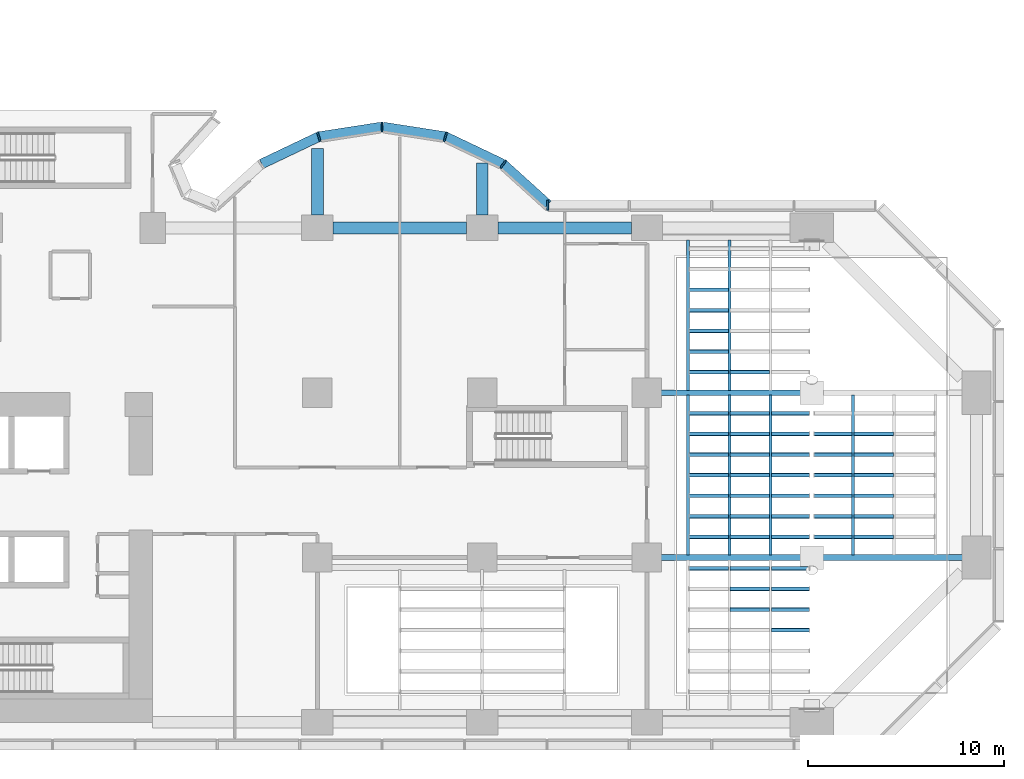
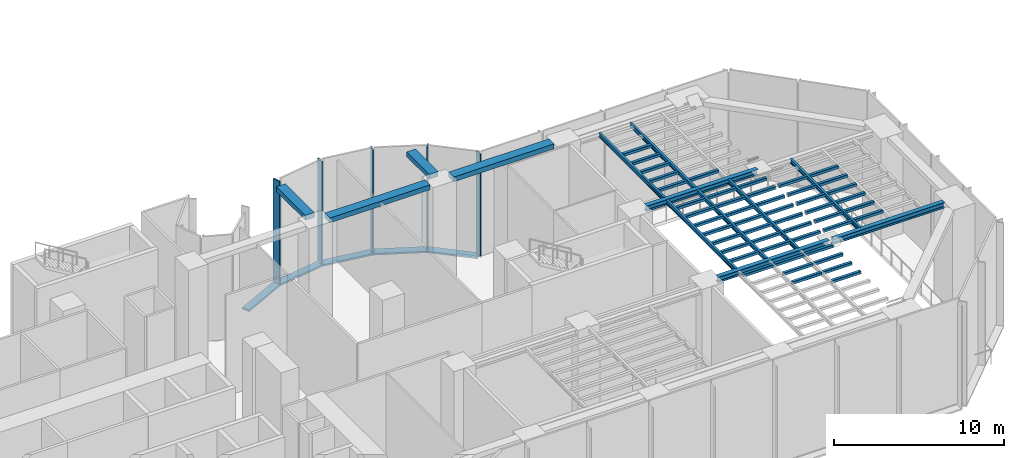
# One storey, part 3 of 22: 60 beams, 10 members, 2 elements without a shape of their own.
"""IFC4 building model written with IfcOpenShell, lengths in metres."""

from ifc_helpers import new_model, si_unit, direction, frame, origin, origin_2d, place, context, subcontext, project, spatial, rectangle, hollow_rectangle, i_section, extrude, material, material_profile, profile_set, type_object, element, aggregate, save


model = new_model("IFC4")

# Units and contexts
model_context = context("Model", 3, precision=1e-05, world=origin(), true_north=direction((0.0, 1.0)))
body_context = subcontext(model_context, "Body", "Model", "MODEL_VIEW")
ifc_project = project(units=[si_unit("LENGTHUNIT", "METRE"), si_unit("AREAUNIT", "SQUARE_METRE"), si_unit("VOLUMEUNIT", "CUBIC_METRE"), si_unit("PLANEANGLEUNIT", "RADIAN"), si_unit("MASSUNIT", "GRAM", prefix="KILO")], contexts=[model_context])

# Site, building, storey
site_placement = place(None, origin())
site = spatial("IfcSite", under=ifc_project, at=site_placement, CompositionType="ELEMENT")
building_placement = place(site_placement, origin())
building = spatial("IfcBuilding", under=site, at=building_placement, Name="Brevane Broadcast Tower", CompositionType="ELEMENT")
storey_placement = place(building_placement, frame((0.0, 0.0, 20.0)))
storey = spatial("IfcBuildingStorey", under=building, at=storey_placement, Name="L03", CompositionType="ELEMENT", Elevation=20.0)

# Curtain wall, member
ifc_material_1 = material(Name="Aluminium 6063-T6 bronze anodised", Category="aluminium")
curtain_wall_type = type_object("IfcCurtainWallType", Name="CW-2 curtain wall", PredefinedType="NOTDEFINED", material=ifc_material_1)
curtain_wall_1_placement = place(storey_placement, origin())
curtain_wall_1 = element("IfcCurtainWall", 1, at=curtain_wall_1_placement, inside=storey, type_object=curtain_wall_type, Name="CW-2 podium base unit L03 east arm north face", PredefinedType="NOTDEFINED")
ifc_material_profile_1 = material_profile(ifc_material_1, rectangle(XDim=0.5, YDim=0.090087890625, at=origin_2d()), Name="RECT 90x500")
ifc_profile_set_1 = profile_set([ifc_material_profile_1], Name="Aluminium 6063-T6 bronze anodised")
member_type_1 = type_object("IfcMemberType", Name="CW-2 mullion 90x500", PredefinedType="MULLION", material=ifc_profile_set_1)
member_1_placement = place(storey_placement, frame((45.344970703125, 26.35009765625, -0.1298828125), z_axis=(0.0, 0.0, 1.0), x_axis=(0.0, -1.0, 0.0)))
member_1 = element("IfcMember", 2, at=member_1_placement, type_object=member_type_1, Name="CW-2 mullion", PredefinedType="MULLION", context=body_context, shape_type="SweptSolid", body=[
    extrude(rectangle(XDim=0.5, YDim=0.090087890625, at=origin_2d()), origin(), (0.0, 0.0, 1.0), 7.3798828125),
])
aggregate(curtain_wall_1, [member_1])

# Curtain wall, members
curtain_wall_2_placement = place(storey_placement, origin())
curtain_wall_2 = element("IfcCurtainWall", 3, at=curtain_wall_2_placement, inside=storey, type_object=curtain_wall_type, Name="CW-2 podium base unit L03 east bow", PredefinedType="NOTDEFINED")
member_2_placement = place(storey_placement, frame((43.0712890625, 28.447021484375, -0.1298828125), z_axis=(0.0, 0.0, 1.0), x_axis=(-0.555997481379, -0.831183975243, 0.0)))
member_2 = element("IfcMember", 4, at=member_2_placement, type_object=member_type_1, Name="CW-2 mullion", PredefinedType="MULLION", context=body_context, shape_type="SweptSolid", body=[
    extrude(rectangle(XDim=0.5, YDim=0.090087890625, at=origin_2d()), origin(), (0.0, 0.0, 1.0), 7.3798828125),
])
member_3_placement = place(storey_placement, frame((40.126953125, 29.84912109375, -0.1298828125), z_axis=(0.0, 0.0, 1.0), x_axis=(-0.294828346832, -0.955550232015, 0.0)))
member_3 = element("IfcMember", 5, at=member_3_placement, type_object=member_type_1, Name="CW-2 mullion", PredefinedType="MULLION", context=body_context, shape_type="SweptSolid", body=[
    extrude(rectangle(XDim=0.5, YDim=0.090087890625, at=origin_2d()), origin(), (0.0, 0.0, 1.0), 7.3798828125),
])
member_4_placement = place(storey_placement, frame((36.89990234375, 30.35009765625, -0.1298828125), z_axis=(0.0, 0.0, 1.0), x_axis=(0.0, -1.0, 0.0)))
member_4 = element("IfcMember", 6, at=member_4_placement, type_object=member_type_1, Name="CW-2 mullion", PredefinedType="MULLION", context=body_context, shape_type="SweptSolid", body=[
    extrude(rectangle(XDim=0.5, YDim=0.090087890625, at=origin_2d()), origin(), (0.0, 0.0, 1.0), 7.3798828125),
])
member_5_placement = place(storey_placement, frame((33.673095703125, 29.84912109375, -0.1298828125), z_axis=(0.0, 0.0, 1.0), x_axis=(0.294828346832, -0.955550232015, 0.0)))
member_5 = element("IfcMember", 7, at=member_5_placement, type_object=member_type_1, Name="CW-2 mullion", PredefinedType="MULLION", context=body_context, shape_type="SweptSolid", body=[
    extrude(rectangle(XDim=0.5, YDim=0.090087890625, at=origin_2d()), origin(), (0.0, 0.0, 1.0), 7.3798828125),
])
ifc_material_profile_2 = material_profile(ifc_material_1, rectangle(XDim=0.5, YDim=0.1201171875, at=origin_2d()), Name="RECT 120x500")
ifc_profile_set_2 = profile_set([ifc_material_profile_2], Name="Aluminium 6063-T6 bronze anodised")
member_type_2 = type_object("IfcMemberType", Name="CW-2 transom 120x500", PredefinedType="USERDEFINED", material=ifc_profile_set_2)
member_6_placement = place(storey_placement, frame((45.349365234375, 26.39208984375, -0.18994140625), z_axis=(-0.742007303722, 0.670391796805, 0.0), x_axis=(-0.670391796805, -0.742007303722, 0.0)))
member_6 = element("IfcMember", 8, at=member_6_placement, type_object=member_type_2, Name="CW-2 transom", ObjectType="TRANSOM", PredefinedType="USERDEFINED", context=body_context, shape_type="SweptSolid", body=[
    extrude(rectangle(XDim=0.5, YDim=0.1201171875, at=origin_2d()), origin(), (0.0, 0.0, 1.0), 3.040771484375),
])
member_7_placement = place(storey_placement, frame((43.039794921875, 28.46484375, -0.18994140625), z_axis=(-0.902852027894, 0.429951410892, 0.0), x_axis=(-0.429951410892, -0.902852027894, 0.0)))
member_7 = element("IfcMember", 9, at=member_7_placement, type_object=member_type_2, Name="CW-2 transom", ObjectType="TRANSOM", PredefinedType="USERDEFINED", context=body_context, shape_type="SweptSolid", body=[
    extrude(rectangle(XDim=0.5, YDim=0.1201171875, at=origin_2d()), origin(), (0.0, 0.0, 1.0), 3.18896484375),
])
member_8_placement = place(storey_placement, frame((40.100341796875, 29.855712890625, -0.18994140625), z_axis=(-0.988151305523, 0.153482889576, 0.0), x_axis=(-0.153482889576, -0.988151305523, 0.0)))
member_8 = element("IfcMember", 10, at=member_8_placement, type_object=member_type_2, Name="CW-2 transom", ObjectType="TRANSOM", PredefinedType="USERDEFINED", context=body_context, shape_type="SweptSolid", body=[
    extrude(rectangle(XDim=0.5, YDim=0.1201171875, at=origin_2d()), origin(), (0.0, 0.0, 1.0), 3.19091796875),
])
member_9_placement = place(storey_placement, frame((36.852783203125, 30.345458984375, -0.18994140625), z_axis=(-0.98815310771, -0.153471286317, 0.0), x_axis=(0.153471286317, -0.98815310771, 0.0)))
member_9 = element("IfcMember", 11, at=member_9_placement, type_object=member_type_2, Name="CW-2 transom", ObjectType="TRANSOM", PredefinedType="USERDEFINED", context=body_context, shape_type="SweptSolid", body=[
    extrude(rectangle(XDim=0.5, YDim=0.1201171875, at=origin_2d()), origin(), (0.0, 0.0, 1.0), 3.191162109375),
])
member_10_placement = place(storey_placement, frame((33.639404296875, 29.8359375, -0.18994140625), z_axis=(-0.902852027894, -0.429951410892, 0.0), x_axis=(0.429951410892, -0.902852027894, 0.0)))
member_10 = element("IfcMember", 12, at=member_10_placement, type_object=member_type_2, Name="CW-2 transom", ObjectType="TRANSOM", PredefinedType="USERDEFINED", context=body_context, shape_type="SweptSolid", body=[
    extrude(rectangle(XDim=0.5, YDim=0.1201171875, at=origin_2d()), origin(), (0.0, 0.0, 1.0), 3.18896484375),
])
aggregate(curtain_wall_2, [member_2, member_3, member_4, member_5, member_6, member_7, member_8, member_9, member_10])

# Beams
ifc_material_2 = material(Name="Concrete C40/50", Category="concrete")
ifc_material_profile_3 = material_profile(ifc_material_2, rectangle(XDim=0.60009765625, YDim=0.35009765625, at=origin_2d()), Name="RC 600x350")
ifc_profile_set_3 = profile_set([ifc_material_profile_3], Name="Concrete C40/50")
beam_type_1 = type_object("IfcBeamType", Name="RC BRACKET BEAM 600x350 C40/50", PredefinedType="BEAM", material=ifc_profile_set_3)
beam_1_placement = place(storey_placement, frame((33.60009765625, 25.85009765625, 7.074951171875), z_axis=(0.0, 1.0, 0.0), x_axis=(-1.0, 0.0, 0.0)))
element("IfcBeam", 13, at=beam_1_placement, inside=storey, type_object=beam_type_1, Name="EB2 L03-1", PredefinedType="BEAM", context=body_context, shape_type="SweptSolid", body=[
    extrude(rectangle(XDim=0.60009765625, YDim=0.35009765625, at=origin_2d()), origin(), (0.0, 0.0, 1.0), 3.411865234375),
])
beam_2_placement = place(storey_placement, frame((42.0, 25.85009765625, 7.074951171875), z_axis=(0.0, 1.0, 0.0), x_axis=(-1.0, 0.0, 0.0)))
element("IfcBeam", 14, at=beam_2_placement, inside=storey, type_object=beam_type_1, Name="EB2 L03-2", PredefinedType="BEAM", context=body_context, shape_type="SweptSolid", body=[
    extrude(rectangle(XDim=0.60009765625, YDim=0.35009765625, at=origin_2d()), origin(), (0.0, 0.0, 1.0), 2.661376953125),
])
ifc_material_profile_4 = material_profile(ifc_material_2, rectangle(XDim=0.60009765625, YDim=0.35009765625, at=origin_2d()), Name="RC 600x350")
ifc_profile_set_4 = profile_set([ifc_material_profile_4], Name="Concrete C40/50")
beam_type_2 = type_object("IfcBeamType", Name="RC SPANDREL BEAM 600x350 C40/50", PredefinedType="SPANDREL", material=ifc_profile_set_4)
for number, where, z_axis, x_axis, name in (
    (15, (49.60009765625, 25.199951171875, 7.074951171875), (-1.0, 0.0, 0.0), (0.0, -1.0, 0.0), "EB1 L03-9"),
    (16, (41.199951171875, 25.199951171875, 7.074951171875), (-1.0, 0.0, 0.0), (0.0, -1.0, 0.0), "EB1 L03-10"),
):
    element("IfcBeam", number, at=place(storey_placement, frame(where, z_axis=z_axis, x_axis=x_axis)), inside=storey, type_object=beam_type_2, Name=name, PredefinedType="SPANDREL", context=body_context, shape_type="SweptSolid", body=[
        extrude(rectangle(XDim=0.60009765625, YDim=0.35009765625, at=origin_2d()), origin(), (0.0, 0.0, 1.0), 6.800048828125),
    ])
ifc_material_3 = material(Name="Steel S355", Category="steel")
ifc_material_profile_5 = material_profile(ifc_material_3, hollow_rectangle(XDim=0.199951171875, YDim=0.199951171875, WallThickness=0.010009765625, InnerFilletRadius=0.010009765625, OuterFilletRadius=0.02001953125, at=origin_2d()), Name="RHS 200x200x10")
ifc_profile_set_5 = profile_set([ifc_material_profile_5], Name="Steel S355")
beam_type_3 = type_object("IfcBeamType", Name="STEEL RIGGING BATTEN RHS 200x200x10 S355", PredefinedType="BEAM", material=ifc_profile_set_5)
for number, where, z_axis, x_axis, name in (
    (17, (52.544921875, 9.449951171875, 7.14990234375), (1.0, 0.0, 0.0), (0.0, 1.0, 0.0), "RG3 W1"),
    (18, (54.64501953125, 9.449951171875, 7.14990234375), (1.0, 0.0, 0.0), (0.0, 1.0, 0.0), "RG3 W2"),
):
    element("IfcBeam", number, at=place(storey_placement, frame(where, z_axis=z_axis, x_axis=x_axis)), inside=storey, type_object=beam_type_3, Name=name, PredefinedType="BEAM", context=body_context, shape_type="SweptSolid", body=[
        extrude(hollow_rectangle(XDim=0.199951171875, YDim=0.199951171875, WallThickness=0.010009765625, InnerFilletRadius=0.010009765625, OuterFilletRadius=0.02001953125, at=origin_2d()), origin(), (0.0, 0.0, 1.0), 2.010009765625),
    ])
beam_3_placement = place(storey_placement, frame((56.7451171875, 9.449951171875, 7.14990234375), z_axis=(1.0, 0.0, 0.0), x_axis=(0.0, 1.0, 0.0)))
element("IfcBeam", 19, at=beam_3_placement, inside=storey, type_object=beam_type_3, Name="RG3 W3", PredefinedType="BEAM", context=body_context, shape_type="SweptSolid", body=[
    extrude(hollow_rectangle(XDim=0.199951171875, YDim=0.199951171875, WallThickness=0.010009765625, InnerFilletRadius=0.010009765625, OuterFilletRadius=0.02001953125, at=origin_2d()), origin(), (0.0, 0.0, 1.0), 1.933837890625),
])
for number, where, z_axis, x_axis, name in (
    (20, (52.544921875, 10.5, 7.14990234375), (1.0, 0.0, 0.0), (0.0, 1.0, 0.0), "RG3 W4"),
    (21, (54.64501953125, 10.5, 7.14990234375), (1.0, 0.0, 0.0), (0.0, 1.0, 0.0), "RG3 W5"),
):
    element("IfcBeam", number, at=place(storey_placement, frame(where, z_axis=z_axis, x_axis=x_axis)), inside=storey, type_object=beam_type_3, Name=name, PredefinedType="BEAM", context=body_context, shape_type="SweptSolid", body=[
        extrude(hollow_rectangle(XDim=0.199951171875, YDim=0.199951171875, WallThickness=0.010009765625, InnerFilletRadius=0.010009765625, OuterFilletRadius=0.02001953125, at=origin_2d()), origin(), (0.0, 0.0, 1.0), 2.010009765625),
    ])
beam_4_placement = place(storey_placement, frame((56.7451171875, 10.5, 7.14990234375), z_axis=(1.0, 0.0, 0.0), x_axis=(0.0, 1.0, 0.0)))
element("IfcBeam", 22, at=beam_4_placement, inside=storey, type_object=beam_type_3, Name="RG3 W6", PredefinedType="BEAM", context=body_context, shape_type="SweptSolid", body=[
    extrude(hollow_rectangle(XDim=0.199951171875, YDim=0.199951171875, WallThickness=0.010009765625, InnerFilletRadius=0.010009765625, OuterFilletRadius=0.02001953125, at=origin_2d()), origin(), (0.0, 0.0, 1.0), 1.933837890625),
])
for number, where, z_axis, x_axis, name in (
    (23, (52.544921875, 11.550048828125, 7.14990234375), (1.0, 0.0, 0.0), (0.0, 1.0, 0.0), "RG3 W7"),
    (24, (54.64501953125, 11.550048828125, 7.14990234375), (1.0, 0.0, 0.0), (0.0, 1.0, 0.0), "RG3 W8"),
):
    element("IfcBeam", number, at=place(storey_placement, frame(where, z_axis=z_axis, x_axis=x_axis)), inside=storey, type_object=beam_type_3, Name=name, PredefinedType="BEAM", context=body_context, shape_type="SweptSolid", body=[
        extrude(hollow_rectangle(XDim=0.199951171875, YDim=0.199951171875, WallThickness=0.010009765625, InnerFilletRadius=0.010009765625, OuterFilletRadius=0.02001953125, at=origin_2d()), origin(), (0.0, 0.0, 1.0), 2.010009765625),
    ])
beam_5_placement = place(storey_placement, frame((56.7451171875, 11.550048828125, 7.14990234375), z_axis=(1.0, 0.0, 0.0), x_axis=(0.0, 1.0, 0.0)))
element("IfcBeam", 25, at=beam_5_placement, inside=storey, type_object=beam_type_3, Name="RG3 W9", PredefinedType="BEAM", context=body_context, shape_type="SweptSolid", body=[
    extrude(hollow_rectangle(XDim=0.199951171875, YDim=0.199951171875, WallThickness=0.010009765625, InnerFilletRadius=0.010009765625, OuterFilletRadius=0.02001953125, at=origin_2d()), origin(), (0.0, 0.0, 1.0), 1.933837890625),
])
for number, where, z_axis, x_axis, name in (
    (26, (52.544921875, 12.60009765625, 7.14990234375), (1.0, 0.0, 0.0), (0.0, 1.0, 0.0), "RG3 W10"),
    (27, (54.64501953125, 12.60009765625, 7.14990234375), (1.0, 0.0, 0.0), (0.0, 1.0, 0.0), "RG3 W11"),
):
    element("IfcBeam", number, at=place(storey_placement, frame(where, z_axis=z_axis, x_axis=x_axis)), inside=storey, type_object=beam_type_3, Name=name, PredefinedType="BEAM", context=body_context, shape_type="SweptSolid", body=[
        extrude(hollow_rectangle(XDim=0.199951171875, YDim=0.199951171875, WallThickness=0.010009765625, InnerFilletRadius=0.010009765625, OuterFilletRadius=0.02001953125, at=origin_2d()), origin(), (0.0, 0.0, 1.0), 2.010009765625),
    ])
beam_6_placement = place(storey_placement, frame((56.7451171875, 12.60009765625, 7.14990234375), z_axis=(1.0, 0.0, 0.0), x_axis=(0.0, 1.0, 0.0)))
element("IfcBeam", 28, at=beam_6_placement, inside=storey, type_object=beam_type_3, Name="RG3 W12", PredefinedType="BEAM", context=body_context, shape_type="SweptSolid", body=[
    extrude(hollow_rectangle(XDim=0.199951171875, YDim=0.199951171875, WallThickness=0.010009765625, InnerFilletRadius=0.010009765625, OuterFilletRadius=0.02001953125, at=origin_2d()), origin(), (0.0, 0.0, 1.0), 1.933837890625),
])
for number, where, z_axis, x_axis, name in (
    (29, (52.544921875, 13.64990234375, 7.14990234375), (1.0, 0.0, 0.0), (0.0, 1.0, 0.0), "RG3 W13"),
    (30, (54.64501953125, 13.64990234375, 7.14990234375), (1.0, 0.0, 0.0), (0.0, 1.0, 0.0), "RG3 W14"),
):
    element("IfcBeam", number, at=place(storey_placement, frame(where, z_axis=z_axis, x_axis=x_axis)), inside=storey, type_object=beam_type_3, Name=name, PredefinedType="BEAM", context=body_context, shape_type="SweptSolid", body=[
        extrude(hollow_rectangle(XDim=0.199951171875, YDim=0.199951171875, WallThickness=0.010009765625, InnerFilletRadius=0.010009765625, OuterFilletRadius=0.02001953125, at=origin_2d()), origin(), (0.0, 0.0, 1.0), 2.010009765625),
    ])
beam_7_placement = place(storey_placement, frame((56.7451171875, 13.64990234375, 7.14990234375), z_axis=(1.0, 0.0, 0.0), x_axis=(0.0, 1.0, 0.0)))
element("IfcBeam", 31, at=beam_7_placement, inside=storey, type_object=beam_type_3, Name="RG3 W15", PredefinedType="BEAM", context=body_context, shape_type="SweptSolid", body=[
    extrude(hollow_rectangle(XDim=0.199951171875, YDim=0.199951171875, WallThickness=0.010009765625, InnerFilletRadius=0.010009765625, OuterFilletRadius=0.02001953125, at=origin_2d()), origin(), (0.0, 0.0, 1.0), 1.933837890625),
])
for number, where, z_axis, x_axis, name in (
    (32, (52.544921875, 14.699951171875, 7.14990234375), (1.0, 0.0, 0.0), (0.0, 1.0, 0.0), "RG3 W16"),
    (33, (54.64501953125, 14.699951171875, 7.14990234375), (1.0, 0.0, 0.0), (0.0, 1.0, 0.0), "RG3 W17"),
):
    element("IfcBeam", number, at=place(storey_placement, frame(where, z_axis=z_axis, x_axis=x_axis)), inside=storey, type_object=beam_type_3, Name=name, PredefinedType="BEAM", context=body_context, shape_type="SweptSolid", body=[
        extrude(hollow_rectangle(XDim=0.199951171875, YDim=0.199951171875, WallThickness=0.010009765625, InnerFilletRadius=0.010009765625, OuterFilletRadius=0.02001953125, at=origin_2d()), origin(), (0.0, 0.0, 1.0), 2.010009765625),
    ])
beam_8_placement = place(storey_placement, frame((56.7451171875, 14.699951171875, 7.14990234375), z_axis=(1.0, 0.0, 0.0), x_axis=(0.0, 1.0, 0.0)))
element("IfcBeam", 34, at=beam_8_placement, inside=storey, type_object=beam_type_3, Name="RG3 W18", PredefinedType="BEAM", context=body_context, shape_type="SweptSolid", body=[
    extrude(hollow_rectangle(XDim=0.199951171875, YDim=0.199951171875, WallThickness=0.010009765625, InnerFilletRadius=0.010009765625, OuterFilletRadius=0.02001953125, at=origin_2d()), origin(), (0.0, 0.0, 1.0), 1.933837890625),
])
for number, where, z_axis, x_axis, name in (
    (35, (52.544921875, 15.75, 7.14990234375), (1.0, 0.0, 0.0), (0.0, 1.0, 0.0), "RG3 W19"),
    (36, (54.64501953125, 15.75, 7.14990234375), (1.0, 0.0, 0.0), (0.0, 1.0, 0.0), "RG3 W20"),
):
    element("IfcBeam", number, at=place(storey_placement, frame(where, z_axis=z_axis, x_axis=x_axis)), inside=storey, type_object=beam_type_3, Name=name, PredefinedType="BEAM", context=body_context, shape_type="SweptSolid", body=[
        extrude(hollow_rectangle(XDim=0.199951171875, YDim=0.199951171875, WallThickness=0.010009765625, InnerFilletRadius=0.010009765625, OuterFilletRadius=0.02001953125, at=origin_2d()), origin(), (0.0, 0.0, 1.0), 2.010009765625),
    ])
beam_9_placement = place(storey_placement, frame((56.7451171875, 15.75, 7.14990234375), z_axis=(1.0, 0.0, 0.0), x_axis=(0.0, 1.0, 0.0)))
element("IfcBeam", 37, at=beam_9_placement, inside=storey, type_object=beam_type_3, Name="RG3 W21", PredefinedType="BEAM", context=body_context, shape_type="SweptSolid", body=[
    extrude(hollow_rectangle(XDim=0.199951171875, YDim=0.199951171875, WallThickness=0.010009765625, InnerFilletRadius=0.010009765625, OuterFilletRadius=0.02001953125, at=origin_2d()), origin(), (0.0, 0.0, 1.0), 1.933837890625),
])
beam_10_placement = place(storey_placement, frame((62.955078125, 9.449951171875, 7.14990234375), z_axis=(-1.0, 0.0, 0.0), x_axis=(0.0, -1.0, 0.0)))
element("IfcBeam", 38, at=beam_10_placement, inside=storey, type_object=beam_type_3, Name="RG3 E23", PredefinedType="BEAM", context=body_context, shape_type="SweptSolid", body=[
    extrude(hollow_rectangle(XDim=0.199951171875, YDim=0.199951171875, WallThickness=0.010009765625, InnerFilletRadius=0.010009765625, OuterFilletRadius=0.02001953125, at=origin_2d()), origin(), (0.0, 0.0, 1.0), 2.010009765625),
])
beam_11_placement = place(storey_placement, frame((60.85498046875, 9.449951171875, 7.14990234375), z_axis=(-1.0, 0.0, 0.0), x_axis=(0.0, -1.0, 0.0)))
element("IfcBeam", 39, at=beam_11_placement, inside=storey, type_object=beam_type_3, Name="RG3 E24", PredefinedType="BEAM", context=body_context, shape_type="SweptSolid", body=[
    extrude(hollow_rectangle(XDim=0.199951171875, YDim=0.199951171875, WallThickness=0.010009765625, InnerFilletRadius=0.010009765625, OuterFilletRadius=0.02001953125, at=origin_2d()), origin(), (0.0, 0.0, 1.0), 1.93408203125),
])
beam_12_placement = place(storey_placement, frame((62.955078125, 10.5, 7.14990234375), z_axis=(-1.0, 0.0, 0.0), x_axis=(0.0, -1.0, 0.0)))
element("IfcBeam", 40, at=beam_12_placement, inside=storey, type_object=beam_type_3, Name="RG3 E26", PredefinedType="BEAM", context=body_context, shape_type="SweptSolid", body=[
    extrude(hollow_rectangle(XDim=0.199951171875, YDim=0.199951171875, WallThickness=0.010009765625, InnerFilletRadius=0.010009765625, OuterFilletRadius=0.02001953125, at=origin_2d()), origin(), (0.0, 0.0, 1.0), 2.010009765625),
])
beam_13_placement = place(storey_placement, frame((60.85498046875, 10.5, 7.14990234375), z_axis=(-1.0, 0.0, 0.0), x_axis=(0.0, -1.0, 0.0)))
element("IfcBeam", 41, at=beam_13_placement, inside=storey, type_object=beam_type_3, Name="RG3 E27", PredefinedType="BEAM", context=body_context, shape_type="SweptSolid", body=[
    extrude(hollow_rectangle(XDim=0.199951171875, YDim=0.199951171875, WallThickness=0.010009765625, InnerFilletRadius=0.010009765625, OuterFilletRadius=0.02001953125, at=origin_2d()), origin(), (0.0, 0.0, 1.0), 1.93408203125),
])
beam_14_placement = place(storey_placement, frame((62.955078125, 11.550048828125, 7.14990234375), z_axis=(-1.0, 0.0, 0.0), x_axis=(0.0, -1.0, 0.0)))
element("IfcBeam", 42, at=beam_14_placement, inside=storey, type_object=beam_type_3, Name="RG3 E29", PredefinedType="BEAM", context=body_context, shape_type="SweptSolid", body=[
    extrude(hollow_rectangle(XDim=0.199951171875, YDim=0.199951171875, WallThickness=0.010009765625, InnerFilletRadius=0.010009765625, OuterFilletRadius=0.02001953125, at=origin_2d()), origin(), (0.0, 0.0, 1.0), 2.010009765625),
])
beam_15_placement = place(storey_placement, frame((60.85498046875, 11.550048828125, 7.14990234375), z_axis=(-1.0, 0.0, 0.0), x_axis=(0.0, -1.0, 0.0)))
element("IfcBeam", 43, at=beam_15_placement, inside=storey, type_object=beam_type_3, Name="RG3 E30", PredefinedType="BEAM", context=body_context, shape_type="SweptSolid", body=[
    extrude(hollow_rectangle(XDim=0.199951171875, YDim=0.199951171875, WallThickness=0.010009765625, InnerFilletRadius=0.010009765625, OuterFilletRadius=0.02001953125, at=origin_2d()), origin(), (0.0, 0.0, 1.0), 1.93408203125),
])
beam_16_placement = place(storey_placement, frame((62.955078125, 12.60009765625, 7.14990234375), z_axis=(-1.0, 0.0, 0.0), x_axis=(0.0, -1.0, 0.0)))
element("IfcBeam", 44, at=beam_16_placement, inside=storey, type_object=beam_type_3, Name="RG3 E32", PredefinedType="BEAM", context=body_context, shape_type="SweptSolid", body=[
    extrude(hollow_rectangle(XDim=0.199951171875, YDim=0.199951171875, WallThickness=0.010009765625, InnerFilletRadius=0.010009765625, OuterFilletRadius=0.02001953125, at=origin_2d()), origin(), (0.0, 0.0, 1.0), 2.010009765625),
])
beam_17_placement = place(storey_placement, frame((60.85498046875, 12.60009765625, 7.14990234375), z_axis=(-1.0, 0.0, 0.0), x_axis=(0.0, -1.0, 0.0)))
element("IfcBeam", 45, at=beam_17_placement, inside=storey, type_object=beam_type_3, Name="RG3 E33", PredefinedType="BEAM", context=body_context, shape_type="SweptSolid", body=[
    extrude(hollow_rectangle(XDim=0.199951171875, YDim=0.199951171875, WallThickness=0.010009765625, InnerFilletRadius=0.010009765625, OuterFilletRadius=0.02001953125, at=origin_2d()), origin(), (0.0, 0.0, 1.0), 1.93408203125),
])
beam_18_placement = place(storey_placement, frame((62.955078125, 13.64990234375, 7.14990234375), z_axis=(-1.0, 0.0, 0.0), x_axis=(0.0, -1.0, 0.0)))
element("IfcBeam", 46, at=beam_18_placement, inside=storey, type_object=beam_type_3, Name="RG3 E35", PredefinedType="BEAM", context=body_context, shape_type="SweptSolid", body=[
    extrude(hollow_rectangle(XDim=0.199951171875, YDim=0.199951171875, WallThickness=0.010009765625, InnerFilletRadius=0.010009765625, OuterFilletRadius=0.02001953125, at=origin_2d()), origin(), (0.0, 0.0, 1.0), 2.010009765625),
])
beam_19_placement = place(storey_placement, frame((60.85498046875, 13.64990234375, 7.14990234375), z_axis=(-1.0, 0.0, 0.0), x_axis=(0.0, -1.0, 0.0)))
element("IfcBeam", 47, at=beam_19_placement, inside=storey, type_object=beam_type_3, Name="RG3 E36", PredefinedType="BEAM", context=body_context, shape_type="SweptSolid", body=[
    extrude(hollow_rectangle(XDim=0.199951171875, YDim=0.199951171875, WallThickness=0.010009765625, InnerFilletRadius=0.010009765625, OuterFilletRadius=0.02001953125, at=origin_2d()), origin(), (0.0, 0.0, 1.0), 1.93408203125),
])
beam_20_placement = place(storey_placement, frame((62.955078125, 14.699951171875, 7.14990234375), z_axis=(-1.0, 0.0, 0.0), x_axis=(0.0, -1.0, 0.0)))
element("IfcBeam", 48, at=beam_20_placement, inside=storey, type_object=beam_type_3, Name="RG3 E38", PredefinedType="BEAM", context=body_context, shape_type="SweptSolid", body=[
    extrude(hollow_rectangle(XDim=0.199951171875, YDim=0.199951171875, WallThickness=0.010009765625, InnerFilletRadius=0.010009765625, OuterFilletRadius=0.02001953125, at=origin_2d()), origin(), (0.0, 0.0, 1.0), 2.010009765625),
])
beam_21_placement = place(storey_placement, frame((60.85498046875, 14.699951171875, 7.14990234375), z_axis=(-1.0, 0.0, 0.0), x_axis=(0.0, -1.0, 0.0)))
element("IfcBeam", 49, at=beam_21_placement, inside=storey, type_object=beam_type_3, Name="RG3 E39", PredefinedType="BEAM", context=body_context, shape_type="SweptSolid", body=[
    extrude(hollow_rectangle(XDim=0.199951171875, YDim=0.199951171875, WallThickness=0.010009765625, InnerFilletRadius=0.010009765625, OuterFilletRadius=0.02001953125, at=origin_2d()), origin(), (0.0, 0.0, 1.0), 1.93408203125),
])
beam_22_placement = place(storey_placement, frame((56.7451171875, 4.699951171875, 7.14990234375), z_axis=(1.0, 0.0, 0.0), x_axis=(0.0, 1.0, 0.0)))
element("IfcBeam", 50, at=beam_22_placement, inside=storey, type_object=beam_type_3, Name="RG3 W54", PredefinedType="BEAM", context=body_context, shape_type="SweptSolid", body=[
    extrude(hollow_rectangle(XDim=0.199951171875, YDim=0.199951171875, WallThickness=0.010009765625, InnerFilletRadius=0.010009765625, OuterFilletRadius=0.02001953125, at=origin_2d()), origin(), (0.0, 0.0, 1.0), 1.933837890625),
])
beam_23_placement = place(storey_placement, frame((54.64501953125, 5.75, 7.14990234375), z_axis=(1.0, 0.0, 0.0), x_axis=(0.0, 1.0, 0.0)))
element("IfcBeam", 51, at=beam_23_placement, inside=storey, type_object=beam_type_3, Name="RG3 W56", PredefinedType="BEAM", context=body_context, shape_type="SweptSolid", body=[
    extrude(hollow_rectangle(XDim=0.199951171875, YDim=0.199951171875, WallThickness=0.010009765625, InnerFilletRadius=0.010009765625, OuterFilletRadius=0.02001953125, at=origin_2d()), origin(), (0.0, 0.0, 1.0), 2.010009765625),
])
beam_24_placement = place(storey_placement, frame((56.7451171875, 5.75, 7.14990234375), z_axis=(1.0, 0.0, 0.0), x_axis=(0.0, 1.0, 0.0)))
element("IfcBeam", 52, at=beam_24_placement, inside=storey, type_object=beam_type_3, Name="RG3 W57", PredefinedType="BEAM", context=body_context, shape_type="SweptSolid", body=[
    extrude(hollow_rectangle(XDim=0.199951171875, YDim=0.199951171875, WallThickness=0.010009765625, InnerFilletRadius=0.010009765625, OuterFilletRadius=0.02001953125, at=origin_2d()), origin(), (0.0, 0.0, 1.0), 1.933837890625),
])
beam_25_placement = place(storey_placement, frame((54.64501953125, 6.800048828125, 7.14990234375), z_axis=(1.0, 0.0, 0.0), x_axis=(0.0, 1.0, 0.0)))
element("IfcBeam", 53, at=beam_25_placement, inside=storey, type_object=beam_type_3, Name="RG3 W59", PredefinedType="BEAM", context=body_context, shape_type="SweptSolid", body=[
    extrude(hollow_rectangle(XDim=0.199951171875, YDim=0.199951171875, WallThickness=0.010009765625, InnerFilletRadius=0.010009765625, OuterFilletRadius=0.02001953125, at=origin_2d()), origin(), (0.0, 0.0, 1.0), 2.010009765625),
])
beam_26_placement = place(storey_placement, frame((56.7451171875, 6.800048828125, 7.14990234375), z_axis=(1.0, 0.0, 0.0), x_axis=(0.0, 1.0, 0.0)))
element("IfcBeam", 54, at=beam_26_placement, inside=storey, type_object=beam_type_3, Name="RG3 W60", PredefinedType="BEAM", context=body_context, shape_type="SweptSolid", body=[
    extrude(hollow_rectangle(XDim=0.199951171875, YDim=0.199951171875, WallThickness=0.010009765625, InnerFilletRadius=0.010009765625, OuterFilletRadius=0.02001953125, at=origin_2d()), origin(), (0.0, 0.0, 1.0), 1.933837890625),
])
for number, where, z_axis, x_axis, name in (
    (55, (52.544921875, 7.85009765625, 7.14990234375), (1.0, 0.0, 0.0), (0.0, 1.0, 0.0), "RG3 W61"),
    (56, (54.64501953125, 7.85009765625, 7.14990234375), (1.0, 0.0, 0.0), (0.0, 1.0, 0.0), "RG3 W62"),
):
    element("IfcBeam", number, at=place(storey_placement, frame(where, z_axis=z_axis, x_axis=x_axis)), inside=storey, type_object=beam_type_3, Name=name, PredefinedType="BEAM", context=body_context, shape_type="SweptSolid", body=[
        extrude(hollow_rectangle(XDim=0.199951171875, YDim=0.199951171875, WallThickness=0.010009765625, InnerFilletRadius=0.010009765625, OuterFilletRadius=0.02001953125, at=origin_2d()), origin(), (0.0, 0.0, 1.0), 2.010009765625),
    ])
beam_27_placement = place(storey_placement, frame((56.7451171875, 7.85009765625, 7.14990234375), z_axis=(1.0, 0.0, 0.0), x_axis=(0.0, 1.0, 0.0)))
element("IfcBeam", 57, at=beam_27_placement, inside=storey, type_object=beam_type_3, Name="RG3 W63", PredefinedType="BEAM", context=body_context, shape_type="SweptSolid", body=[
    extrude(hollow_rectangle(XDim=0.199951171875, YDim=0.199951171875, WallThickness=0.010009765625, InnerFilletRadius=0.010009765625, OuterFilletRadius=0.02001953125, at=origin_2d()), origin(), (0.0, 0.0, 1.0), 1.933837890625),
])
for number, where, z_axis, x_axis, name in (
    (58, (52.544921875, 17.85009765625, 7.14990234375), (1.0, 0.0, 0.0), (0.0, 1.0, 0.0), "RG3 W64"),
    (59, (54.64501953125, 17.85009765625, 7.14990234375), (1.0, 0.0, 0.0), (0.0, 1.0, 0.0), "RG3 W65"),
    (60, (52.544921875, 18.89990234375, 7.14990234375), (1.0, 0.0, 0.0), (0.0, 1.0, 0.0), "RG3 W67"),
    (61, (52.544921875, 19.949951171875, 7.14990234375), (1.0, 0.0, 0.0), (0.0, 1.0, 0.0), "RG3 W70"),
    (62, (52.544921875, 21.0, 7.14990234375), (1.0, 0.0, 0.0), (0.0, 1.0, 0.0), "RG3 W73"),
    (63, (52.544921875, 22.050048828125, 7.14990234375), (1.0, 0.0, 0.0), (0.0, 1.0, 0.0), "RG3 W76"),
):
    element("IfcBeam", number, at=place(storey_placement, frame(where, z_axis=z_axis, x_axis=x_axis)), inside=storey, type_object=beam_type_3, Name=name, PredefinedType="BEAM", context=body_context, shape_type="SweptSolid", body=[
        extrude(hollow_rectangle(XDim=0.199951171875, YDim=0.199951171875, WallThickness=0.010009765625, InnerFilletRadius=0.010009765625, OuterFilletRadius=0.02001953125, at=origin_2d()), origin(), (0.0, 0.0, 1.0), 2.010009765625),
    ])
ifc_material_profile_6 = material_profile(ifc_material_3, i_section(OverallWidth=0.14990234375, OverallDepth=0.300048828125, WebThickness=0.007080078125, FlangeThickness=0.0107421875, FilletRadius=0.014892578125, at=origin_2d()), Name="IPE 300")
ifc_profile_set_6 = profile_set([ifc_material_profile_6], Name="Steel S355")
beam_type_4 = type_object("IfcBeamType", Name="STEEL RIGGING CROSS GIRDER IPE 300 S355", PredefinedType="BEAM", material=ifc_profile_set_6)
for number, where, z_axis, x_axis, name in (
    (64, (52.5, 8.52001953125, 7.10009765625), (0.0, 1.0, 0.0), (-1.0, 0.0, 0.0), "RG2 W1"),
    (65, (54.60009765625, 8.52001953125, 7.10009765625), (0.0, 1.0, 0.0), (-1.0, 0.0, 0.0), "RG2 W2"),
    (66, (56.699951171875, 8.52001953125, 7.10009765625), (0.0, 1.0, 0.0), (-1.0, 0.0, 0.0), "RG2 W3"),
    (67, (60.89990234375, 8.52001953125, 7.10009765625), (0.0, 1.0, 0.0), (-1.0, 0.0, 0.0), "RG2 E6"),
):
    element("IfcBeam", number, at=place(storey_placement, frame(where, z_axis=z_axis, x_axis=x_axis)), inside=storey, type_object=beam_type_4, Name=name, PredefinedType="BEAM", context=body_context, shape_type="SweptSolid", body=[
        extrude(i_section(OverallWidth=0.14990234375, OverallDepth=0.300048828125, WebThickness=0.007080078125, FlangeThickness=0.0107421875, FilletRadius=0.014892578125, at=origin_2d()), origin(), (0.0, 0.0, 1.0), 8.159912109375),
    ])
for number, where, z_axis, x_axis, name in (
    (68, (52.5, 16.919921875, 7.10009765625), (0.0, 1.0, 0.0), (-1.0, 0.0, 0.0), "RG2 W10"),
    (69, (54.60009765625, 16.919921875, 7.10009765625), (0.0, 1.0, 0.0), (-1.0, 0.0, 0.0), "RG2 W11"),
):
    element("IfcBeam", number, at=place(storey_placement, frame(where, z_axis=z_axis, x_axis=x_axis)), inside=storey, type_object=beam_type_4, Name=name, PredefinedType="BEAM", context=body_context, shape_type="SweptSolid", body=[
        extrude(i_section(OverallWidth=0.14990234375, OverallDepth=0.300048828125, WebThickness=0.007080078125, FlangeThickness=0.0107421875, FilletRadius=0.014892578125, at=origin_2d()), origin(), (0.0, 0.0, 1.0), 7.66015625),
    ])
ifc_material_profile_7 = material_profile(ifc_material_3, i_section(OverallWidth=0.300048828125, OverallDepth=0.39990234375, WebThickness=0.013427734375, FlangeThickness=0.02392578125, FilletRadius=0.027099609375, at=origin_2d()), Name="HE 400 B")
ifc_profile_set_7 = profile_set([ifc_material_profile_7], Name="Steel S355")
beam_type_5 = type_object("IfcBeamType", Name="STEEL RIGGING GIRDER HE 400 B S355", PredefinedType="BEAM", material=ifc_profile_set_7)
for number, where, z_axis, x_axis, name in (
    (70, (51.1201171875, 8.39990234375, 7.050048828125), (1.0, 0.0, 0.0), (0.0, 1.0, 0.0), "RG1 W1"),
    (71, (51.1201171875, 16.800048828125, 7.050048828125), (1.0, 0.0, 0.0), (0.0, 1.0, 0.0), "RG1 W2"),
):
    element("IfcBeam", number, at=place(storey_placement, frame(where, z_axis=z_axis, x_axis=x_axis)), inside=storey, type_object=beam_type_5, Name=name, PredefinedType="BEAM", context=body_context, shape_type="SweptSolid", body=[
        extrude(i_section(OverallWidth=0.300048828125, OverallDepth=0.39990234375, WebThickness=0.013427734375, FlangeThickness=0.02392578125, FilletRadius=0.027099609375, at=origin_2d()), origin(), (0.0, 0.0, 1.0), 7.558837890625),
    ])
beam_28_placement = place(storey_placement, frame((66.47998046875, 8.39990234375, 7.050048828125), z_axis=(-1.0, 0.0, 0.0), x_axis=(0.0, -1.0, 0.0)))
element("IfcBeam", 72, at=beam_28_placement, inside=storey, type_object=beam_type_5, Name="RG1 E3", PredefinedType="BEAM", context=body_context, shape_type="SweptSolid", body=[
    extrude(i_section(OverallWidth=0.300048828125, OverallDepth=0.39990234375, WebThickness=0.013427734375, FlangeThickness=0.02392578125, FilletRadius=0.027099609375, at=origin_2d()), origin(), (0.0, 0.0, 1.0), 7.55908203125),
])

save(model, "model.ifc")
